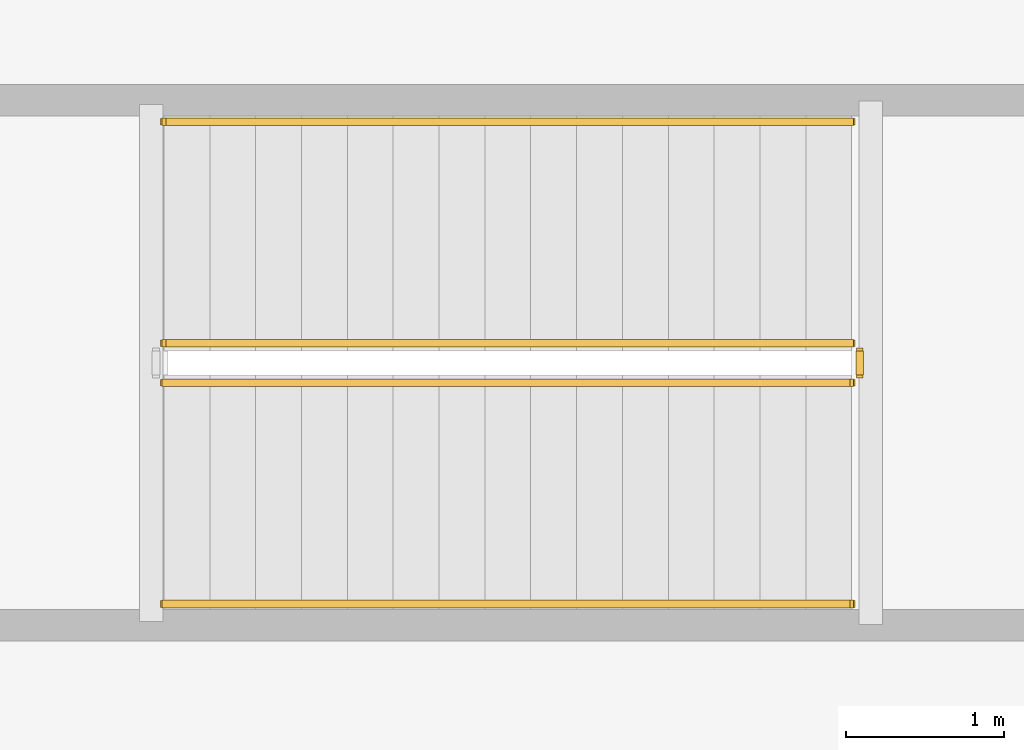
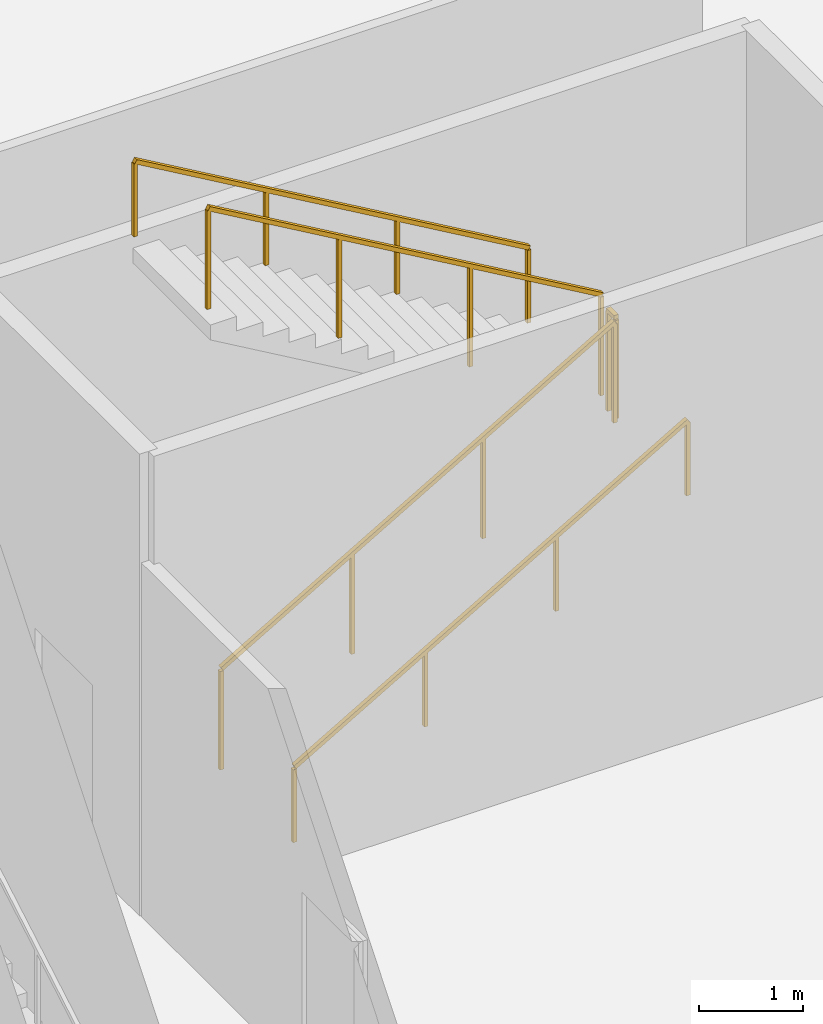
# One storey, part 24 of 24: 5 railings.
"""IFC4 building model written with IfcOpenShell, lengths in metres."""

from ifc_helpers import new_model, si_unit, direction, frame, origin, origin_2d, place, context, subcontext, project, spatial, rectangle, extrude, material, type_object, element, save


model = new_model("IFC4")

# Units and contexts
model_context = context("Model", 3, precision=1e-05, world=origin(), true_north=direction((0.0, 1.0)))
body_context = subcontext(model_context, "Body", "Model", "MODEL_VIEW")
ifc_project = project(units=[si_unit("LENGTHUNIT", "METRE"), si_unit("AREAUNIT", "SQUARE_METRE"), si_unit("VOLUMEUNIT", "CUBIC_METRE"), si_unit("PLANEANGLEUNIT", "RADIAN"), si_unit("MASSUNIT", "GRAM", prefix="KILO")], contexts=[model_context])

# Site, building, storey
site_placement = place(None, origin())
site = spatial("IfcSite", under=ifc_project, at=site_placement, CompositionType="ELEMENT")
building_placement = place(site_placement, origin())
building = spatial("IfcBuilding", under=site, at=building_placement, Name="Belovzor Exchange Tower", CompositionType="ELEMENT")
storey_placement = place(building_placement, frame((0.0, 0.0, 8.39990234375)))
storey = spatial("IfcBuildingStorey", under=building, at=storey_placement, Name="L02", CompositionType="ELEMENT", Elevation=8.39990234375)

# Railings
ifc_material_1 = material(Name="Stainless Steel Grade 304", Category="steel")
railing_type_1 = type_object("IfcRailingType", Name="Brushed Stainless Steel Stair Handrail 900", PredefinedType="HANDRAIL", material=ifc_material_1)
railing_1_placement = place(storey_placement, frame((41.39990234375, 34.300048828125, 0.1689453125)))
element("IfcRailing", 1, at=railing_1_placement, inside=storey, type_object=railing_type_1, Name="L02 ST-4 stair handrail 1", PredefinedType="HANDRAIL", context=body_context, shape_type="SweptSolid", body=[
    extrude(rectangle(XDim=0.048095703125, YDim=0.048095703125, at=origin_2d()), frame((0.0, 0.0, 0.8759765625), z_axis=(0.864323800911, 0.0, 0.50293574856), x_axis=(0.0, 1.0, 0.0)), (0.0, 0.0, 1.0), 5.032958984375),
    extrude(rectangle(XDim=0.0419921875, YDim=0.0419921875, at=origin_2d()), origin(), (0.0, 0.0, 1.0), 0.851806640625),
    extrude(rectangle(XDim=0.0419921875, YDim=0.0419921875, at=origin_2d()), frame((1.449951171875, 0.0, 0.84375)), (0.0, 0.0, 1.0), 0.851806640625),
    extrude(rectangle(XDim=0.0419921875, YDim=0.0419921875, at=origin_2d()), frame((2.900146484375, 0.0, 1.6875)), (0.0, 0.0, 1.0), 0.851806640625),
    extrude(rectangle(XDim=0.0419921875, YDim=0.0419921875, at=origin_2d()), frame((4.35009765625, 0.0, 2.53125)), (0.0, 0.0, 1.0), 0.851806640625),
])
railing_2_placement = place(storey_placement, frame((45.75, 37.35009765625, 2.868896484375)))
element("IfcRailing", 2, at=railing_2_placement, inside=storey, type_object=railing_type_1, Name="L02 ST-4 stair handrail 2", PredefinedType="HANDRAIL", context=body_context, shape_type="SweptSolid", body=[
    extrude(rectangle(XDim=0.048095703125, YDim=0.048095703125, at=origin_2d()), frame((0.0, 0.0, 0.8759765625), z_axis=(-0.864323800911, 0.0, 0.50293574856), x_axis=(0.0, -1.0, 0.0)), (0.0, 0.0, 1.0), 5.032958984375),
    extrude(rectangle(XDim=0.0419921875, YDim=0.0419921875, at=origin_2d()), origin(), (0.0, 0.0, 1.0), 0.851806640625),
    extrude(rectangle(XDim=0.0419921875, YDim=0.0419921875, at=origin_2d()), frame((-1.449951171875, 0.0, 0.84375)), (0.0, 0.0, 1.0), 0.851806640625),
    extrude(rectangle(XDim=0.0419921875, YDim=0.0419921875, at=origin_2d()), frame((-2.900146484375, 0.0, 1.6875)), (0.0, 0.0, 1.0), 0.851806640625),
    extrude(rectangle(XDim=0.0419921875, YDim=0.0419921875, at=origin_2d()), frame((-4.35009765625, 0.0, 2.53125)), (0.0, 0.0, 1.0), 0.851806640625),
])
ifc_material_2 = material(Name="Steel S355", Category="steel")
railing_type_2 = type_object("IfcRailingType", Name="Painted Steel Stairwell Guardrail 1200", PredefinedType="GUARDRAIL", material=ifc_material_2)
railing_3_placement = place(storey_placement, frame((41.39990234375, 35.699951171875, 0.1689453125)))
element("IfcRailing", 3, at=railing_3_placement, inside=storey, type_object=railing_type_2, Name="L02 ST-4 stair guard 1", PredefinedType="GUARDRAIL", context=body_context, shape_type="SweptSolid", body=[
    extrude(rectangle(XDim=0.048095703125, YDim=0.048095703125, at=origin_2d()), frame((0.0, 0.0, 1.17578125), z_axis=(0.864323800911, 0.0, 0.50293574856), x_axis=(0.0, 1.0, 0.0)), (0.0, 0.0, 1.0), 5.032958984375),
    extrude(rectangle(XDim=0.0419921875, YDim=0.0419921875, at=origin_2d()), origin(), (0.0, 0.0, 1.0), 1.15185546875),
    extrude(rectangle(XDim=0.0419921875, YDim=0.0419921875, at=origin_2d()), frame((1.449951171875, 0.0, 0.84375)), (0.0, 0.0, 1.0), 1.15185546875),
    extrude(rectangle(XDim=0.0419921875, YDim=0.0419921875, at=origin_2d()), frame((2.900146484375, 0.0, 1.6875)), (0.0, 0.0, 1.0), 1.15185546875),
    extrude(rectangle(XDim=0.0419921875, YDim=0.0419921875, at=origin_2d()), frame((4.35009765625, 0.0, 2.53125)), (0.0, 0.0, 1.0), 1.15185546875),
])
railing_4_placement = place(storey_placement, frame((45.800048828125, 35.75, 2.7001953125)))
element("IfcRailing", 4, at=railing_4_placement, inside=storey, type_object=railing_type_2, Name="L02 ST-4 stair guard 2", PredefinedType="GUARDRAIL", context=body_context, shape_type="SweptSolid", body=[
    extrude(rectangle(XDim=0.048095703125, YDim=0.048095703125, at=origin_2d()), frame((0.0, 0.0, 1.17578125), z_axis=(0.0, 1.0, 0.0), x_axis=(-1.0, 0.0, 0.0)), (0.0, 0.0, 1.0), 0.14990234375),
    extrude(rectangle(XDim=0.0419921875, YDim=0.0419921875, at=origin_2d()), origin(), (0.0, 0.0, 1.0), 1.15185546875),
    extrude(rectangle(XDim=0.0419921875, YDim=0.0419921875, at=origin_2d()), frame((0.0, 0.14990234375, 0.0)), (0.0, 0.0, 1.0), 1.15185546875),
])
railing_5_placement = place(storey_placement, frame((45.75, 35.949951171875, 2.868896484375)))
element("IfcRailing", 5, at=railing_5_placement, inside=storey, type_object=railing_type_2, Name="L02 ST-4 stair guard 3", PredefinedType="GUARDRAIL", context=body_context, shape_type="SweptSolid", body=[
    extrude(rectangle(XDim=0.048095703125, YDim=0.048095703125, at=origin_2d()), frame((0.0, 0.0, 1.17578125), z_axis=(-0.864323800911, 0.0, 0.50293574856), x_axis=(0.0, -1.0, 0.0)), (0.0, 0.0, 1.0), 5.032958984375),
    extrude(rectangle(XDim=0.0419921875, YDim=0.0419921875, at=origin_2d()), origin(), (0.0, 0.0, 1.0), 1.15185546875),
    extrude(rectangle(XDim=0.0419921875, YDim=0.0419921875, at=origin_2d()), frame((-1.449951171875, 0.0, 0.84375)), (0.0, 0.0, 1.0), 1.15185546875),
    extrude(rectangle(XDim=0.0419921875, YDim=0.0419921875, at=origin_2d()), frame((-2.900146484375, 0.0, 1.6875)), (0.0, 0.0, 1.0), 1.15185546875),
    extrude(rectangle(XDim=0.0419921875, YDim=0.0419921875, at=origin_2d()), frame((-4.35009765625, 0.0, 2.53125)), (0.0, 0.0, 1.0), 1.15185546875),
])

save(model, "model.ifc")
